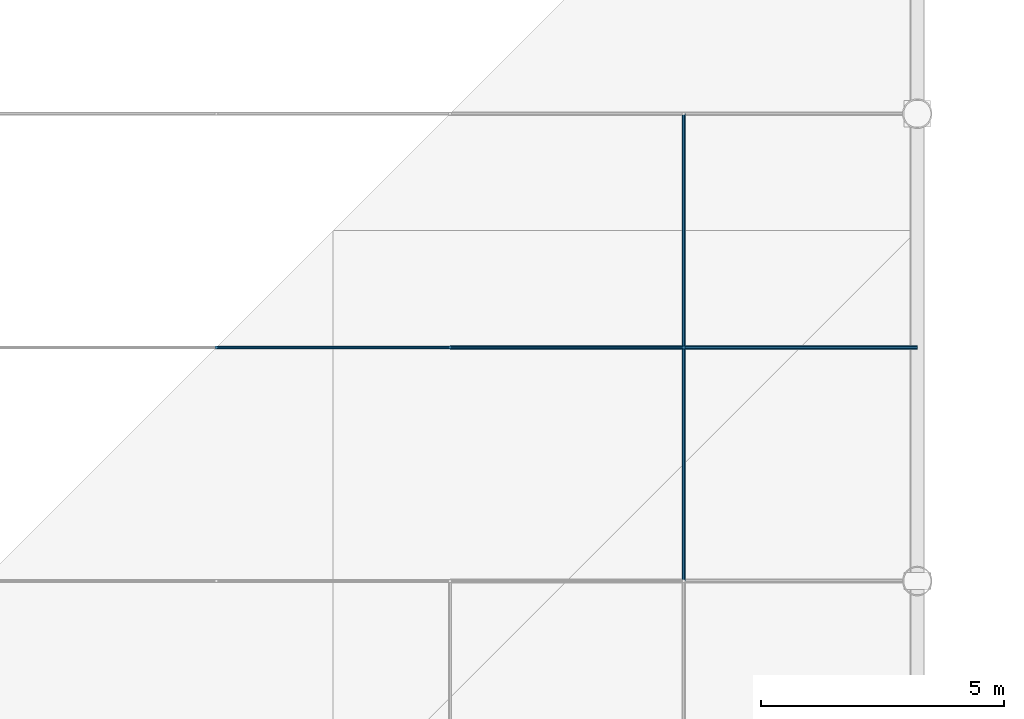
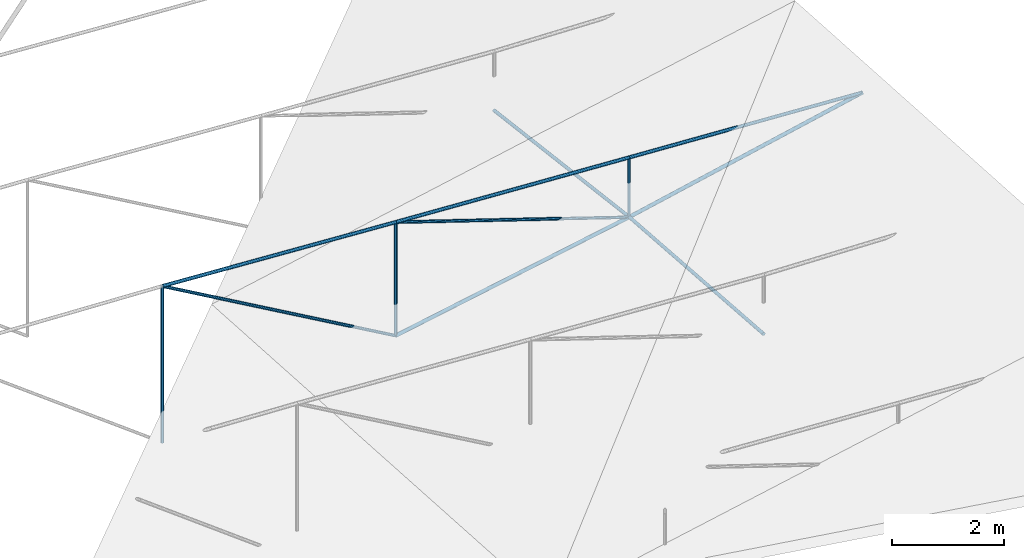
# One storey, part 28 of 50: 12 members.
"""IFC4 building model written with IfcOpenShell, lengths in metres."""

from ifc_helpers import new_model, si_unit, direction, frame, origin, origin_2d, place, context, subcontext, project, spatial, circle, extrude, material, material_profile, profile_set, type_object, element, save


model = new_model("IFC4")

# Units and contexts
model_context = context("Model", 3, precision=1e-05, world=origin(), true_north=direction((0.0, 1.0)))
body_context = subcontext(model_context, "Body", "Model", "MODEL_VIEW")
ifc_project = project(units=[si_unit("LENGTHUNIT", "METRE"), si_unit("AREAUNIT", "SQUARE_METRE"), si_unit("VOLUMEUNIT", "CUBIC_METRE"), si_unit("PLANEANGLEUNIT", "RADIAN"), si_unit("MASSUNIT", "GRAM", prefix="KILO")], contexts=[model_context])

# Site, building, storey
site_placement = place(None, origin())
site = spatial("IfcSite", under=ifc_project, at=site_placement, CompositionType="ELEMENT")
building_placement = place(site_placement, origin())
building = spatial("IfcBuilding", under=site, at=building_placement, Name="Zevrakil Square Congress Hotel", CompositionType="ELEMENT")
storey_placement = place(building_placement, frame((0.0, 0.0, 21.5)))
storey = spatial("IfcBuildingStorey", under=building, at=storey_placement, Name="L06", CompositionType="ELEMENT", Elevation=21.5)

# Members
ifc_material_1 = material(Name="Steel S355", Category="steel")
ifc_material_profile_1 = material_profile(ifc_material_1, circle(Radius=0.030029296875, at=origin_2d()), Name="CABLE RD60")
ifc_profile_set_1 = profile_set([ifc_material_profile_1], Name="Steel S355")
member_type_1 = type_object("IfcMemberType", Name="MEM-CABLE-RD60", PredefinedType="USERDEFINED", material=ifc_profile_set_1)
member_1_placement = place(storey_placement, frame((151.199951171875, 98.39990234375, -0.91796875), z_axis=(0.0, 0.0, 1.0), x_axis=(1.0, 0.0, 0.0)))
element("IfcMember", 1, at=member_1_placement, inside=storey, type_object=member_type_1, Name="Congress cable-truss vertical tie CBW-07-7", ObjectType="ROOF CABLE", PredefinedType="USERDEFINED", context=body_context, shape_type="SweptSolid", body=[
    extrude(circle(Radius=0.030029296875, at=origin_2d()), origin(), (0.0, 0.0, 1.0), 3.39794921875),
])
member_2_placement = place(storey_placement, frame((156.0, 98.39990234375, -0.278076171875), z_axis=(-0.867060147467, 0.0, 0.498203473167), x_axis=(0.0, -1.0, 0.0)))
element("IfcMember", 2, at=member_2_placement, inside=storey, type_object=member_type_1, Name="Congress cable-truss web diagonal CBD-07-8", ObjectType="ROOF CABLE", PredefinedType="USERDEFINED", context=body_context, shape_type="SweptSolid", body=[
    extrude(circle(Radius=0.030029296875, at=origin_2d()), origin(), (0.0, 0.0, 1.0), 5.535888671875),
])
member_3_placement = place(storey_placement, frame((156.0, 98.39990234375, -0.278076171875), z_axis=(0.0, 0.0, 1.0), x_axis=(1.0, 0.0, 0.0)))
element("IfcMember", 3, at=member_3_placement, inside=storey, type_object=member_type_1, Name="Congress cable-truss vertical tie CBW-07-8", ObjectType="ROOF CABLE", PredefinedType="USERDEFINED", context=body_context, shape_type="SweptSolid", body=[
    extrude(circle(Radius=0.030029296875, at=origin_2d()), origin(), (0.0, 0.0, 1.0), 2.46875),
])
member_4_placement = place(storey_placement, frame((160.800048828125, 98.39990234375, 0.617919921875), z_axis=(-0.95029004287, 0.0, 0.311366077828), x_axis=(0.0, -1.0, 0.0)))
element("IfcMember", 4, at=member_4_placement, inside=storey, type_object=member_type_1, Name="Congress cable-truss web diagonal CBD-07-9", ObjectType="ROOF CABLE", PredefinedType="USERDEFINED", context=body_context, shape_type="SweptSolid", body=[
    extrude(circle(Radius=0.030029296875, at=origin_2d()), origin(), (0.0, 0.0, 1.0), 5.051025390625),
])
member_5_placement = place(storey_placement, frame((160.800048828125, 98.39990234375, 0.617919921875), z_axis=(0.0, 0.0, 1.0), x_axis=(1.0, 0.0, 0.0)))
element("IfcMember", 5, at=member_5_placement, inside=storey, type_object=member_type_1, Name="Congress cable-truss vertical tie CBW-07-9", ObjectType="ROOF CABLE", PredefinedType="USERDEFINED", context=body_context, shape_type="SweptSolid", body=[
    extrude(circle(Radius=0.030029296875, at=origin_2d()), origin(), (0.0, 0.0, 1.0), 1.298095703125),
])
ifc_material_2 = material(Name="Steel S355", Category="steel")
ifc_material_profile_2 = material_profile(ifc_material_2, circle(Radius=0.033935546875, at=origin_2d()), Name="CABLE RD68")
ifc_profile_set_2 = profile_set([ifc_material_profile_2], Name="Steel S355")
member_type_2 = type_object("IfcMemberType", Name="MEM-CABLE-RD68", PredefinedType="USERDEFINED", material=ifc_profile_set_2)
member_6_placement = place(storey_placement, frame((160.800048828125, 93.60009765625, 0.988037109375), z_axis=(0.0, 0.997197418128, -0.074815167433), x_axis=(-1.0, 0.0, 0.0)))
element("IfcMember", 6, at=member_6_placement, inside=storey, type_object=member_type_2, Name="Congress saddle stabilizing cable CBH-09 seg 7", ObjectType="ROOF CABLE", PredefinedType="USERDEFINED", context=body_context, shape_type="SweptSolid", body=[
    extrude(circle(Radius=0.033935546875, at=origin_2d()), origin(), (0.0, 0.0, 1.0), 4.813232421875),
])
member_7_placement = place(storey_placement, frame((160.800048828125, 98.39990234375, 0.6279296875), z_axis=(0.0, 0.9922817585, -0.124003676346), x_axis=(-1.0, 0.0, 0.0)))
element("IfcMember", 7, at=member_7_placement, inside=storey, type_object=member_type_2, Name="Congress saddle stabilizing cable CBH-09 seg 8", ObjectType="ROOF CABLE", PredefinedType="USERDEFINED", context=body_context, shape_type="SweptSolid", body=[
    extrude(circle(Radius=0.033935546875, at=origin_2d()), origin(), (0.0, 0.0, 1.0), 4.83740234375),
])
member_8_placement = place(storey_placement, frame((151.199951171875, 98.39990234375, 2.47998046875), z_axis=(0.998188600561, 0.0, -0.060162427733), x_axis=(0.0, 1.0, 0.0)))
element("IfcMember", 8, at=member_8_placement, inside=storey, type_object=member_type_2, Name="Congress lenticular upper cable chord CBU-07 seg 8", ObjectType="ROOF CABLE", PredefinedType="USERDEFINED", context=body_context, shape_type="SweptSolid", body=[
    extrude(circle(Radius=0.033935546875, at=origin_2d()), origin(), (0.0, 0.0, 1.0), 4.808837890625),
])
member_9_placement = place(storey_placement, frame((156.0, 98.39990234375, 2.190673828125), z_axis=(0.99836695184, 0.0, -0.057126434099), x_axis=(0.0, 1.0, 0.0)))
element("IfcMember", 9, at=member_9_placement, inside=storey, type_object=member_type_2, Name="Congress lenticular upper cable chord CBU-07 seg 9", ObjectType="ROOF CABLE", PredefinedType="USERDEFINED", context=body_context, shape_type="SweptSolid", body=[
    extrude(circle(Radius=0.033935546875, at=origin_2d()), origin(), (0.0, 0.0, 1.0), 4.807861328125),
])
member_10_placement = place(storey_placement, frame((160.800048828125, 98.39990234375, 1.916015625), z_axis=(0.998466753159, 0.0, -0.055354700216), x_axis=(0.0, 1.0, 0.0)))
element("IfcMember", 10, at=member_10_placement, inside=storey, type_object=member_type_2, Name="Congress lenticular upper cable chord CBU-07 seg 10", ObjectType="ROOF CABLE", PredefinedType="USERDEFINED", context=body_context, shape_type="SweptSolid", body=[
    extrude(circle(Radius=0.033935546875, at=origin_2d()), origin(), (0.0, 0.0, 1.0), 4.807373046875),
])
ifc_material_3 = material(Name="Steel S355", Category="steel")
ifc_material_profile_3 = material_profile(ifc_material_3, circle(Radius=0.0380859375, at=origin_2d()), Name="CABLE RD76")
ifc_profile_set_3 = profile_set([ifc_material_profile_3], Name="Steel S355")
member_type_3 = type_object("IfcMemberType", Name="MEM-CABLE-RD76", PredefinedType="USERDEFINED", material=ifc_profile_set_3)
member_11_placement = place(storey_placement, frame((156.0, 98.39990234375, -0.278076171875), z_axis=(0.983020729765, 0.0, 0.183494536302), x_axis=(0.0, 1.0, 0.0)))
element("IfcMember", 11, at=member_11_placement, inside=storey, type_object=member_type_3, Name="Congress saddle carrying cable CBS-07 seg 9", ObjectType="ROOF CABLE", PredefinedType="USERDEFINED", context=body_context, shape_type="SweptSolid", body=[
    extrude(circle(Radius=0.0380859375, at=origin_2d()), origin(), (0.0, 0.0, 1.0), 4.883056640625),
])
member_12_placement = place(storey_placement, frame((160.800048828125, 98.39990234375, 0.617919921875), z_axis=(0.977660289196, 0.0, 0.210191243702), x_axis=(0.0, 1.0, 0.0)))
element("IfcMember", 12, at=member_12_placement, inside=storey, type_object=member_type_3, Name="Congress saddle carrying cable CBS-07 seg 10", ObjectType="ROOF CABLE", PredefinedType="USERDEFINED", context=body_context, shape_type="SweptSolid", body=[
    extrude(circle(Radius=0.0380859375, at=origin_2d()), origin(), (0.0, 0.0, 1.0), 4.90966796875),
])

save(model, "model.ifc")
